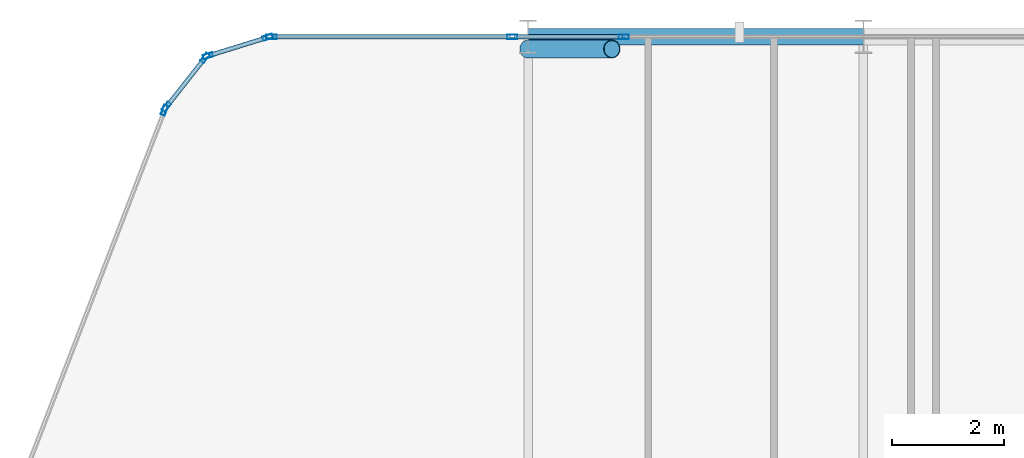
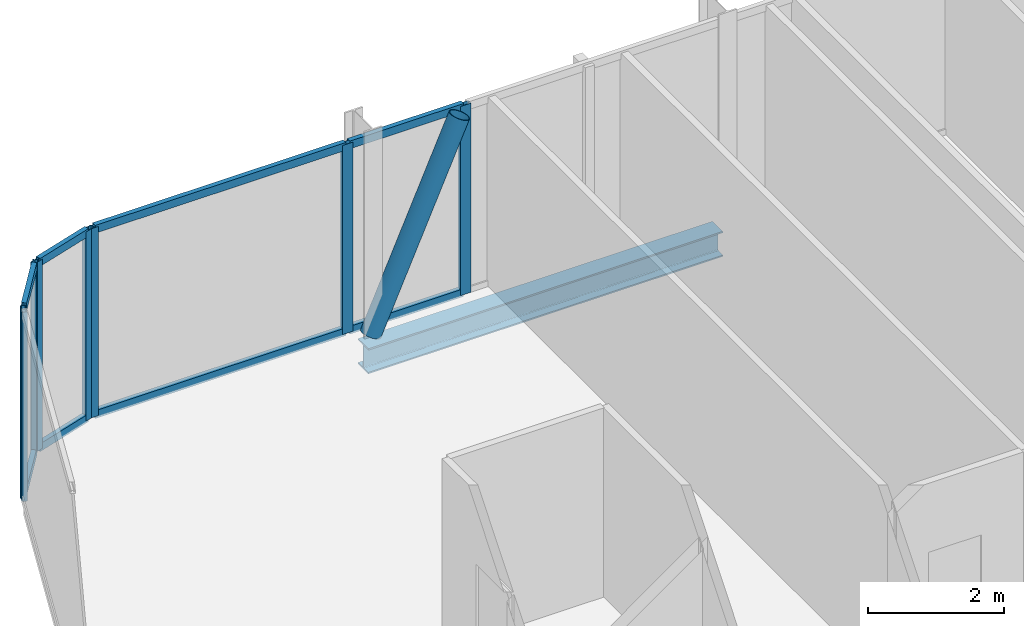
# One storey, part 16 of 30: 17 members, 1 beam, 5 elements without a shape of their own.
"""IFC4 building model written with IfcOpenShell, lengths in metres."""

from ifc_helpers import new_model, si_unit, direction, frame, origin, origin_2d, place, context, subcontext, project, spatial, hollow_rectangle, hollow_circle, i_section, extrude, material, layer, layer_set, material_profile, profile_set, type_object, element, aggregate, save


model = new_model("IFC4")

# Units and contexts
model_context = context("Model", 3, precision=1e-05, world=origin(), true_north=direction((0.0, 1.0)))
body_context = subcontext(model_context, "Body", "Model", "MODEL_VIEW")
ifc_project = project(units=[si_unit("LENGTHUNIT", "METRE"), si_unit("AREAUNIT", "SQUARE_METRE"), si_unit("VOLUMEUNIT", "CUBIC_METRE"), si_unit("PLANEANGLEUNIT", "RADIAN"), si_unit("MASSUNIT", "GRAM", prefix="KILO")], contexts=[model_context])

# Site, building, storey
site_placement = place(None, origin())
site = spatial("IfcSite", under=ifc_project, at=site_placement, CompositionType="ELEMENT")
building_placement = place(site_placement, origin())
building = spatial("IfcBuilding", under=site, at=building_placement, Name="Keshet Zoharim Tower", CompositionType="ELEMENT")
storey_placement = place(building_placement, frame((0.0, 0.0, 109.39990234375)))
storey = spatial("IfcBuildingStorey", under=building, at=storey_placement, Name="L26", CompositionType="ELEMENT", Elevation=109.39990234375)

# Beam
ifc_material_1 = material(Name="Steel S355", Category="steel")
ifc_material_profile_1 = material_profile(ifc_material_1, i_section(OverallWidth=0.300048828125, OverallDepth=0.449951171875, WebThickness=0.013916015625, FlangeThickness=0.02587890625, FilletRadius=0.027099609375, at=origin_2d()), Name="HEB450")
ifc_profile_set_1 = profile_set([ifc_material_profile_1], Name="Steel S355")
beam_type = type_object("IfcBeamType", Name="BM-WEB-HB450", PredefinedType="BEAM", material=ifc_profile_set_1)
beam_placement = place(storey_placement, frame((21.0, 53.89990234375, -0.539794921875), z_axis=(1.0, 0.0, 0.0), x_axis=(0.0, 1.0, 0.0)))
element("IfcBeam", 1, at=beam_placement, inside=storey, type_object=beam_type, Name="L26 Primary Girder X-019", PredefinedType="BEAM", context=body_context, shape_type="SweptSolid", body=[
    extrude(i_section(OverallWidth=0.300048828125, OverallDepth=0.449951171875, WebThickness=0.013916015625, FlangeThickness=0.02587890625, FilletRadius=0.027099609375, at=origin_2d()), origin(), (0.0, 0.0, 1.0), 6.0),
])

# Curtain wall, member
ifc_material_2 = material(Name="Aluminium 6063-T6", Category="aluminium")
ifc_layer = layer(ifc_material_2, 0.159912109375)
ifc_layer_set = layer_set([ifc_layer], Name="Aluminium 6063-T6")
curtain_wall_type = type_object("IfcCurtainWallType", Name="CW-SYS-03", PredefinedType="NOTDEFINED", material=ifc_layer_set)
curtain_wall_1_placement = place(storey_placement, origin())
curtain_wall_1 = element("IfcCurtainWall", 2, at=curtain_wall_1_placement, inside=storey, type_object=curtain_wall_type, Name="L26 Unitised Curtain Wall 10", PredefinedType="NOTDEFINED")
ifc_material_profile_2 = material_profile(ifc_material_2, hollow_rectangle(XDim=0.080078125, YDim=0.179931640625, WallThickness=0.00439453125, at=origin_2d()), Name="MUL-80x180")
ifc_profile_set_2 = profile_set([ifc_material_profile_2], Name="Aluminium 6063-T6")
member_type_1 = type_object("IfcMemberType", Name="CWM-M18", PredefinedType="MULLION", material=ifc_profile_set_2)
member_1_placement = place(storey_placement, frame((14.494384765625, 52.58544921875, 0.0), z_axis=(0.0, 0.0, 1.0), x_axis=(-0.933341404361, 0.358990003907, 0.0)))
member_1 = element("IfcMember", 3, at=member_1_placement, type_object=member_type_1, Name="CW-03 mullion 4", PredefinedType="MULLION", context=body_context, shape_type="SweptSolid", body=[
    extrude(hollow_rectangle(XDim=0.080078125, YDim=0.179931640625, WallThickness=0.00439453125, at=origin_2d()), origin(), (0.0, 0.0, 1.0), 3.385009765625),
])
aggregate(curtain_wall_1, [member_1])

# Curtain wall, members
curtain_wall_2_placement = place(storey_placement, origin())
curtain_wall_2 = element("IfcCurtainWall", 4, at=curtain_wall_2_placement, inside=storey, type_object=curtain_wall_type, Name="L26 Unitised Curtain Wall 11", PredefinedType="NOTDEFINED")
member_2_placement = place(storey_placement, frame((14.528564453125, 52.6455078125, 0.0), z_axis=(0.0, 0.0, 1.0), x_axis=(-0.785292825205, 0.619124525989, 0.0)))
member_2 = element("IfcMember", 5, at=member_2_placement, type_object=member_type_1, Name="CW-03 mullion 1", PredefinedType="MULLION", context=body_context, shape_type="SweptSolid", body=[
    extrude(hollow_rectangle(XDim=0.080078125, YDim=0.179931640625, WallThickness=0.00439453125, at=origin_2d()), origin(), (0.0, 0.0, 1.0), 3.385009765625),
])
member_3_placement = place(storey_placement, frame((15.21923828125, 53.521484375, 0.0), z_axis=(0.0, 0.0, 1.0), x_axis=(-0.785292825205, 0.619124525989, 0.0)))
member_3 = element("IfcMember", 6, at=member_3_placement, type_object=member_type_1, Name="CW-03 mullion 2", PredefinedType="MULLION", context=body_context, shape_type="SweptSolid", body=[
    extrude(hollow_rectangle(XDim=0.080078125, YDim=0.179931640625, WallThickness=0.00439453125, at=origin_2d()), origin(), (0.0, 0.0, 1.0), 3.385009765625),
])

curtain_wall_3_placement = place(storey_placement, origin())
curtain_wall_3 = element("IfcCurtainWall", 7, at=curtain_wall_3_placement, inside=storey, type_object=curtain_wall_type, Name="L26 Unitised Curtain Wall 12", PredefinedType="NOTDEFINED")
member_4_placement = place(storey_placement, frame((15.2744140625, 53.559326171875, 0.0), z_axis=(0.0, 0.0, 1.0), x_axis=(-0.295921857984, 0.955212151288, 0.0)))
member_4 = element("IfcMember", 8, at=member_4_placement, type_object=member_type_1, Name="CW-03 mullion 1", PredefinedType="MULLION", context=body_context, shape_type="SweptSolid", body=[
    extrude(hollow_rectangle(XDim=0.080078125, YDim=0.179931640625, WallThickness=0.00439453125, at=origin_2d()), origin(), (0.0, 0.0, 1.0), 3.385009765625),
])
member_5_placement = place(storey_placement, frame((16.340576171875, 53.8896484375, 0.0), z_axis=(0.0, 0.0, 1.0), x_axis=(-0.295921857984, 0.955212151288, 0.0)))
member_5 = element("IfcMember", 9, at=member_5_placement, type_object=member_type_1, Name="CW-03 mullion 2", PredefinedType="MULLION", context=body_context, shape_type="SweptSolid", body=[
    extrude(hollow_rectangle(XDim=0.080078125, YDim=0.179931640625, WallThickness=0.00439453125, at=origin_2d()), origin(), (0.0, 0.0, 1.0), 3.385009765625),
])

curtain_wall_4_placement = place(storey_placement, origin())
curtain_wall_4 = element("IfcCurtainWall", 10, at=curtain_wall_4_placement, inside=storey, type_object=curtain_wall_type, Name="L26 Unitised Curtain Wall 13", PredefinedType="NOTDEFINED")
member_6_placement = place(storey_placement, frame((16.408935546875, 53.89990234375, 0.0), z_axis=(0.0, 0.0, 1.0), x_axis=(0.0, 1.0, 0.0)))
member_6 = element("IfcMember", 11, at=member_6_placement, type_object=member_type_1, Name="CW-03 mullion 1", PredefinedType="MULLION", context=body_context, shape_type="SweptSolid", body=[
    extrude(hollow_rectangle(XDim=0.080078125, YDim=0.179931640625, WallThickness=0.00439453125, at=origin_2d()), origin(), (0.0, 0.0, 1.0), 3.385009765625),
])
member_7_placement = place(storey_placement, frame((20.716796875, 53.89990234375, 0.0), z_axis=(0.0, 0.0, 1.0), x_axis=(0.0, 1.0, 0.0)))
member_7 = element("IfcMember", 12, at=member_7_placement, type_object=member_type_1, Name="CW-03 mullion 2", PredefinedType="MULLION", context=body_context, shape_type="SweptSolid", body=[
    extrude(hollow_rectangle(XDim=0.080078125, YDim=0.179931640625, WallThickness=0.00439453125, at=origin_2d()), origin(), (0.0, 0.0, 1.0), 3.385009765625),
])

# Curtain wall, member
curtain_wall_5_placement = place(storey_placement, origin())
curtain_wall_5 = element("IfcCurtainWall", 13, at=curtain_wall_5_placement, inside=storey, type_object=curtain_wall_type, Name="L26 Unitised Curtain Wall 13 Part 2", PredefinedType="NOTDEFINED")
member_8_placement = place(storey_placement, frame((22.713134765625, 53.89990234375, 0.0), z_axis=(0.0, 0.0, 1.0), x_axis=(0.0, 1.0, 0.0)))
member_8 = element("IfcMember", 14, at=member_8_placement, type_object=member_type_1, Name="CW-03 mullion 2", PredefinedType="MULLION", context=body_context, shape_type="SweptSolid", body=[
    extrude(hollow_rectangle(XDim=0.080078125, YDim=0.179931640625, WallThickness=0.00439453125, at=origin_2d()), origin(), (0.0, 0.0, 1.0), 3.385009765625),
])

# Member
ifc_material_profile_3 = material_profile(ifc_material_2, hollow_rectangle(XDim=0.080078125, YDim=0.139892578125, WallThickness=0.00390625, at=origin_2d()), Name="TRN-80x140")
ifc_profile_set_3 = profile_set([ifc_material_profile_3], Name="Aluminium 6063-T6")
member_type_2 = type_object("IfcMemberType", Name="CWT-T14", PredefinedType="USERDEFINED", material=ifc_profile_set_3)
member_9_placement = place(storey_placement, frame((14.55029296875, 52.6728515625, 0.03515625), z_axis=(0.619099165969, 0.78531281837, 0.0), x_axis=(-0.78531281837, 0.619099165969, 0.0)))
member_9 = element("IfcMember", 15, at=member_9_placement, type_object=member_type_2, Name="CW-03 transom 1.1", ObjectType="TRANSOM", PredefinedType="USERDEFINED", context=body_context, shape_type="SweptSolid", body=[
    extrude(hollow_rectangle(XDim=0.080078125, YDim=0.139892578125, WallThickness=0.00390625, at=origin_2d()), origin(), (0.0, 0.0, 1.0), 1.0458984375),
])

member_10_placement = place(storey_placement, frame((14.55029296875, 52.6728515625, 3.35009765625), z_axis=(0.619099165969, 0.78531281837, 0.0), x_axis=(-0.78531281837, 0.619099165969, 0.0)))
member_10 = element("IfcMember", 16, at=member_10_placement, type_object=member_type_2, Name="CW-03 transom 1.2", ObjectType="TRANSOM", PredefinedType="USERDEFINED", context=body_context, shape_type="SweptSolid", body=[
    extrude(hollow_rectangle(XDim=0.080078125, YDim=0.139892578125, WallThickness=0.00390625, at=origin_2d()), origin(), (0.0, 0.0, 1.0), 1.0458984375),
])

aggregate(curtain_wall_2, [member_2, member_3, member_9, member_10])

member_11_placement = place(storey_placement, frame((15.307861328125, 53.56982421875, 0.03515625), z_axis=(0.955212093062, 0.295922045933, 0.0), x_axis=(-0.295922045933, 0.955212093062, 0.0)))
member_11 = element("IfcMember", 17, at=member_11_placement, type_object=member_type_2, Name="CW-03 transom 1.1", ObjectType="TRANSOM", PredefinedType="USERDEFINED", context=body_context, shape_type="SweptSolid", body=[
    extrude(hollow_rectangle(XDim=0.080078125, YDim=0.139892578125, WallThickness=0.00390625, at=origin_2d()), origin(), (0.0, 0.0, 1.0), 1.046142578125),
])

member_12_placement = place(storey_placement, frame((15.307861328125, 53.56982421875, 3.35009765625), z_axis=(0.955212093062, 0.295922045933, 0.0), x_axis=(-0.295922045933, 0.955212093062, 0.0)))
member_12 = element("IfcMember", 18, at=member_12_placement, type_object=member_type_2, Name="CW-03 transom 1.2", ObjectType="TRANSOM", PredefinedType="USERDEFINED", context=body_context, shape_type="SweptSolid", body=[
    extrude(hollow_rectangle(XDim=0.080078125, YDim=0.139892578125, WallThickness=0.00390625, at=origin_2d()), origin(), (0.0, 0.0, 1.0), 1.046142578125),
])

aggregate(curtain_wall_3, [member_4, member_5, member_11, member_12])

member_13_placement = place(storey_placement, frame((16.444091796875, 53.89990234375, 0.03515625), z_axis=(1.0, 0.0, 0.0), x_axis=(0.0, 1.0, 0.0)))
member_13 = element("IfcMember", 19, at=member_13_placement, type_object=member_type_2, Name="CW-03 transom 1.1", ObjectType="TRANSOM", PredefinedType="USERDEFINED", context=body_context, shape_type="SweptSolid", body=[
    extrude(hollow_rectangle(XDim=0.080078125, YDim=0.139892578125, WallThickness=0.00390625, at=origin_2d()), origin(), (0.0, 0.0, 1.0), 4.23779296875),
])

member_14_placement = place(storey_placement, frame((16.444091796875, 53.89990234375, 3.35009765625), z_axis=(1.0, 0.0, 0.0), x_axis=(0.0, 1.0, 0.0)))
member_14 = element("IfcMember", 20, at=member_14_placement, type_object=member_type_2, Name="CW-03 transom 1.2", ObjectType="TRANSOM", PredefinedType="USERDEFINED", context=body_context, shape_type="SweptSolid", body=[
    extrude(hollow_rectangle(XDim=0.080078125, YDim=0.139892578125, WallThickness=0.00390625, at=origin_2d()), origin(), (0.0, 0.0, 1.0), 4.23779296875),
])

aggregate(curtain_wall_4, [member_6, member_7, member_13, member_14])

member_15_placement = place(storey_placement, frame((20.751953125, 53.89990234375, 0.03515625), z_axis=(1.0, 0.0, 0.0), x_axis=(0.0, 1.0, 0.0)))
member_15 = element("IfcMember", 21, at=member_15_placement, type_object=member_type_2, Name="CW-03 transom 1.1", ObjectType="TRANSOM", PredefinedType="USERDEFINED", context=body_context, shape_type="SweptSolid", body=[
    extrude(hollow_rectangle(XDim=0.080078125, YDim=0.139892578125, WallThickness=0.00390625, at=origin_2d()), origin(), (0.0, 0.0, 1.0), 1.926025390625),
])

member_16_placement = place(storey_placement, frame((20.751953125, 53.89990234375, 3.35009765625), z_axis=(1.0, 0.0, 0.0), x_axis=(0.0, 1.0, 0.0)))
member_16 = element("IfcMember", 22, at=member_16_placement, type_object=member_type_2, Name="CW-03 transom 1.2", ObjectType="TRANSOM", PredefinedType="USERDEFINED", context=body_context, shape_type="SweptSolid", body=[
    extrude(hollow_rectangle(XDim=0.080078125, YDim=0.139892578125, WallThickness=0.00390625, at=origin_2d()), origin(), (0.0, 0.0, 1.0), 1.926025390625),
])

aggregate(curtain_wall_5, [member_8, member_15, member_16])

ifc_material_profile_4 = material_profile(ifc_material_1, hollow_circle(Radius=0.161865234375, WallThickness=0.012451171875, at=origin_2d()), Name="CHS323x12.5")
ifc_profile_set_4 = profile_set([ifc_material_profile_4], Name="Steel S355")
member_type_3 = type_object("IfcMemberType", Name="MB-BR-C323", PredefinedType="BRACE", material=ifc_profile_set_4)
member_17_placement = place(storey_placement, frame((21.0, 53.679931640625, 0.0), z_axis=(0.405134846829, 0.0, 0.91425694194), x_axis=(0.0, 1.0, 0.0)))
element("IfcMember", 23, at=member_17_placement, inside=storey, type_object=member_type_3, Name="L26 Perimeter Tube Brace 02", PredefinedType="BRACE", context=body_context, shape_type="SweptSolid", body=[
    extrude(hollow_circle(Radius=0.161865234375, WallThickness=0.012451171875, at=origin_2d()), origin(), (0.0, 0.0, 1.0), 3.702392578125),
])

save(model, "model.ifc")
